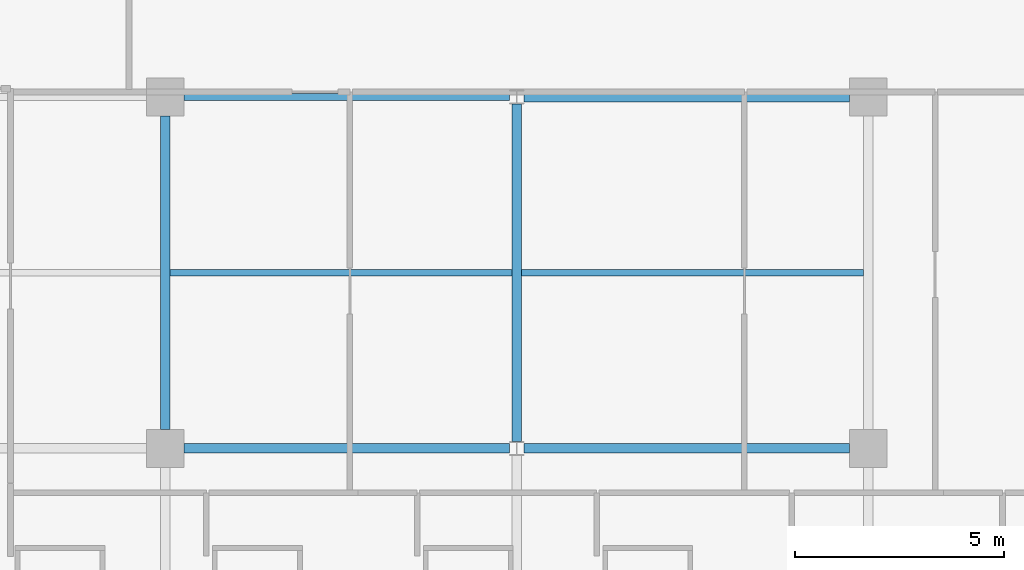
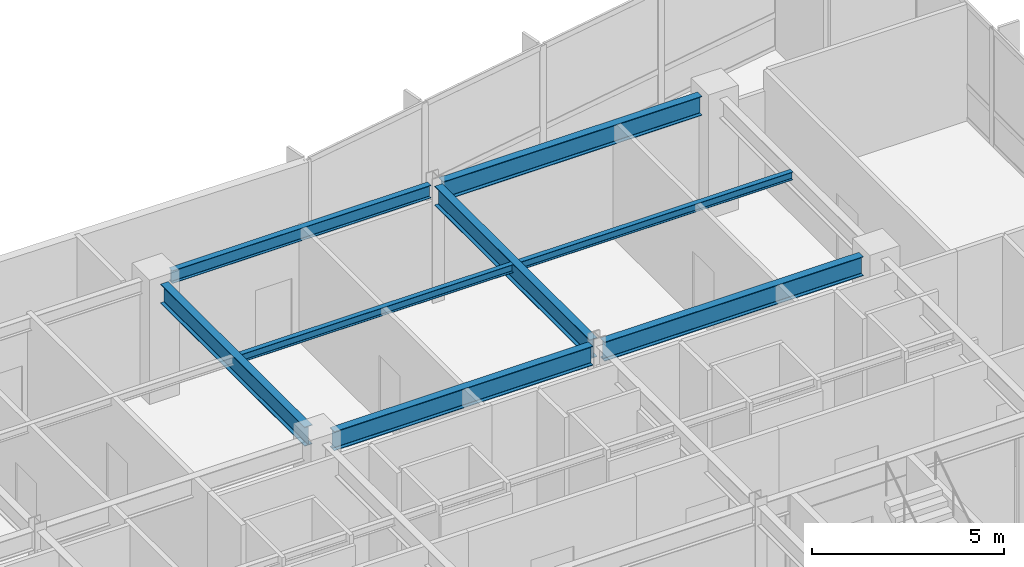
# One storey, part 6 of 20: 8 beams.
"""IFC4 building model written with IfcOpenShell, lengths in metres."""

import ifcopenshell
import ifcopenshell.guid

model = None  # the IFC model being written
_history = None  # IfcOwnerHistory: only IFC2X3 demands one
_inside = {}  # id of a spatial element -> (the spatial element, [elements in it])
_under = {}  # id of a project, library or spatial element -> (it, [spatial elements below it])
_declared = {}  # id of a project -> (the project, [libraries it declares])
_typed = {}  # id of a type object -> (the type object, [elements of that type])
_made_of = {}  # id of a material, layer set ... -> (it, [elements and type objects made of it])


def new_model(schema):
    """Start an empty IFC model of exactly this schema.

    Asked for "IFC4X3", IfcOpenShell would pick the latest addendum, in which some entities
    have other attributes; the version numbers below select the first issue.
    IFC2X3 requires an IfcOwnerHistory on every rooted entity: one is made here for all.
    """
    global model, _history
    if schema == "IFC4X3":
        model = ifcopenshell.file(schema_version=(4, 3, 0, 0))
    else:
        model = ifcopenshell.file(schema=schema)
    _inside.clear()
    _under.clear()
    _declared.clear()
    _typed.clear()
    _made_of.clear()
    _history = None
    if model.schema == "IFC2X3":
        org = make("IfcOrganization", Name="unknown")
        user = make(
            "IfcPersonAndOrganization",
            ThePerson=make("IfcPerson", FamilyName="unknown"),
            TheOrganization=org,
        )
        app = make(
            "IfcApplication",
            ApplicationDeveloper=org,
            Version="unknown",
            ApplicationFullName="unknown",
            ApplicationIdentifier="unknown",
        )
        _history = make(
            "IfcOwnerHistory",
            OwningUser=user,
            OwningApplication=app,
            ChangeAction="ADDED",
            CreationDate=0,
        )
    return model


def make(cls, **values):
    """One entity of the class cls with the attributes given. An attribute that is None is left unset."""
    return model.create_entity(
        cls, **{name: value for name, value in values.items() if value is not None}
    )


def rooted(cls, **values):
    """An entity with a GlobalId (a new one), such as an element, a storey or a relation."""
    return make(cls, GlobalId=ifcopenshell.guid.new(), OwnerHistory=_history, **values)


def si_unit(unit_type, name, prefix=None):
    """IfcSIUnit, for example si_unit("LENGTHUNIT", "METRE", prefix="MILLI")."""
    return make("IfcSIUnit", UnitType=unit_type, Prefix=prefix, Name=name)


def assignment(units):
    """IfcUnitAssignment: the units of a project."""
    return None if units is None else make("IfcUnitAssignment", Units=units)


def point(xyz):
    """IfcCartesianPoint."""
    return None if xyz is None else make("IfcCartesianPoint", Coordinates=xyz)


def direction(xyz):
    """IfcDirection."""
    return None if xyz is None else make("IfcDirection", DirectionRatios=xyz)


def frame(location, z_axis=None, x_axis=None):
    """IfcAxis2Placement3D, a coordinate frame: its origin and axes. An axis left out is left unset."""
    return make(
        "IfcAxis2Placement3D",
        Location=point(location),
        Axis=direction(z_axis),
        RefDirection=direction(x_axis),
    )


def frame_2d(location, x_axis=None):
    """IfcAxis2Placement2D, a coordinate frame in the plane: its origin and x axis."""
    return make(
        "IfcAxis2Placement2D", Location=point(location), RefDirection=direction(x_axis)
    )


def origin():
    """The frame at (0, 0, 0) with its axes left unset."""
    return frame((0.0, 0.0, 0.0))


def origin_2d():
    """The frame at (0, 0) in the plane with its x axis left unset."""
    return frame_2d((0.0, 0.0))


def place(relative_to, where):
    """IfcLocalPlacement: puts the frame where relative to a parent placement (None: the world)."""
    return make(
        "IfcLocalPlacement", PlacementRelTo=relative_to, RelativePlacement=where
    )


def context(
    kind, dimensions, precision=None, world=None, true_north=None, identifier=None
):
    """IfcGeometricRepresentationContext, for example the 3D "Model" context."""
    return make(
        "IfcGeometricRepresentationContext",
        ContextIdentifier=identifier,
        ContextType=kind,
        CoordinateSpaceDimension=dimensions,
        Precision=precision,
        WorldCoordinateSystem=world,
        TrueNorth=true_north,
    )


def subcontext(parent, identifier, kind, view, scale=None):
    """IfcGeometricRepresentationSubContext, for example "Body" below "Model"."""
    return make(
        "IfcGeometricRepresentationSubContext",
        ContextIdentifier=identifier,
        ContextType=kind,
        ParentContext=parent,
        TargetScale=scale,
        TargetView=view,
    )


def project(units=None, contexts=None):
    """IfcProject with its units and contexts."""
    return rooted(
        "IfcProject",
        Name="project",
        RepresentationContexts=contexts,
        UnitsInContext=assignment(units),
    )


def spatial(cls, under=None, at=None, **own):
    """A site, building, storey or space (cls), placed at a placement, below another one or the project."""
    s = rooted(cls, ObjectPlacement=at, **own)
    if under is not None:
        _under.setdefault(under.id(), (under, []))[1].append(s)
    return s


def profile(cls, at=None, kind="AREA", **sizes):
    """A parametric profile (cls). Its sizes go by their IFC names, for example OverallWidth=200.0."""
    return make(cls, ProfileType=kind, Position=at, **sizes)


def i_section(**sizes):
    """IfcIShapeProfileDef."""
    return profile("IfcIShapeProfileDef", **sizes)


def extrude(swept, where, along, depth):
    """IfcExtrudedAreaSolid: the profile swept, set in the frame where, extruded along a direction by depth."""
    return make(
        "IfcExtrudedAreaSolid",
        SweptArea=swept,
        Position=where,
        ExtrudedDirection=direction(along),
        Depth=depth,
    )


def shape(context_of_items, identifier, shape_type, items):
    """IfcShapeRepresentation: the items that make up one representation, for example the "Body"."""
    return make(
        "IfcShapeRepresentation",
        ContextOfItems=context_of_items,
        RepresentationIdentifier=identifier,
        RepresentationType=shape_type,
        Items=items,
    )


def material(Name=None, Category=None):
    """IfcMaterial."""
    return make("IfcMaterial", Name=Name, Category=Category)


def material_profile(
    of_material, cross_section, Name=None, Category=None, Priority=None
):
    """IfcMaterialProfile: a cross section and its material."""
    return make(
        "IfcMaterialProfile",
        Name=Name,
        Material=of_material,
        Profile=cross_section,
        Priority=Priority,
        Category=Category,
    )


def profile_set(profiles, Name=None, composite=None):
    """IfcMaterialProfileSet."""
    return make(
        "IfcMaterialProfileSet",
        Name=Name,
        MaterialProfiles=profiles,
        CompositeProfile=composite,
    )


def made_of(thing, what):
    """Note that an element or type object is made of a material, layer set ...; save() writes the relation."""
    if what is not None:
        _made_of.setdefault(what.id(), (what, []))[1].append(thing)
    return thing


def type_object(cls, material=None, **own):
    """A type object (cls), such as IfcWallType, which elements share."""
    return made_of(rooted(cls, **own), material)


def element(
    cls,
    number,
    at=None,
    inside=None,
    cuts=None,
    type_object=None,
    material=None,
    context=None,
    identifier="Body",
    shape_type=None,
    held_by="IfcProductDefinitionShape",
    body=None,
    shapes=None,
    **own,
):
    """One element of the class cls, such as IfcWall. Its Tag is "e" and its number.

    at: its placement. inside: the storey or other place that contains it. cuts: it is an
    opening in that element (IfcRelVoidsElement). A single representation is given by context,
    identifier, shape_type and body (its items); several are given by shapes. held_by: the class
    of the entity that holds the representations. save() writes the other relations.
    """
    e = rooted(cls, Tag="e%d" % number, ObjectPlacement=at, **own)
    if body is not None:
        shapes = [shape(context, identifier, shape_type, body)]
    if shapes is not None:
        e.Representation = make(held_by, Representations=shapes)
    if inside is not None:
        _inside.setdefault(inside.id(), (inside, []))[1].append(e)
    if cuts is not None:
        rooted(
            "IfcRelVoidsElement", RelatingBuildingElement=cuts, RelatedOpeningElement=e
        )
    if type_object is not None:
        _typed.setdefault(type_object.id(), (type_object, []))[1].append(e)
    return made_of(e, material)


def aggregate(whole, parts):
    """IfcRelAggregates: a whole, such as a stair, and the parts it consists of."""
    return rooted("IfcRelAggregates", RelatingObject=whole, RelatedObjects=parts)


def save(model, path):
    """Write the relations noted so far, then the file.

    IfcRelAggregates (storeys below a building ...), IfcRelContainedInSpatialStructure (elements
    in a storey), IfcRelDefinesByType, IfcRelAssociatesMaterial and IfcRelDeclares: one each for
    every whole, place, type object, material and project.
    """
    for whole, parts in _under.values():
        aggregate(whole, parts)
    for where, things in _inside.values():
        rooted(
            "IfcRelContainedInSpatialStructure",
            RelatedElements=things,
            RelatingStructure=where,
        )
    for kind, things in _typed.values():
        rooted("IfcRelDefinesByType", RelatedObjects=things, RelatingType=kind)
    for what, things in _made_of.values():
        rooted("IfcRelAssociatesMaterial", RelatedObjects=things, RelatingMaterial=what)
    for by, libraries in _declared.values():
        rooted("IfcRelDeclares", RelatingContext=by, RelatedDefinitions=libraries)
    model.write(path)


model = new_model("IFC4")

# Units and contexts
model_context = context("Model", 3, precision=1e-05, world=origin(), true_north=direction((0.0, 1.0)))
body_context = subcontext(model_context, "Body", "Model", "MODEL_VIEW")
ifc_project = project(units=[si_unit("LENGTHUNIT", "METRE"), si_unit("AREAUNIT", "SQUARE_METRE"), si_unit("VOLUMEUNIT", "CUBIC_METRE"), si_unit("PLANEANGLEUNIT", "RADIAN"), si_unit("MASSUNIT", "GRAM", prefix="KILO")], contexts=[model_context])

# Site, building, storey
site_placement = place(None, origin())
site = spatial("IfcSite", under=ifc_project, at=site_placement, CompositionType="ELEMENT")
building_placement = place(site_placement, origin())
building = spatial("IfcBuilding", under=site, at=building_placement, Name="Varnakote Quay Hospital", CompositionType="ELEMENT")
storey_placement = place(building_placement, frame((0.0, 0.0, 58.050048828125)))
storey = spatial("IfcBuildingStorey", under=building, at=storey_placement, Name="L14", CompositionType="ELEMENT", Elevation=58.050048828125)

# Beams
ifc_material_1 = material(Name="Structural steel AS/NZS 3679.1 Grade 350 L0 (fy 340 MPa)", Category="steel")
ifc_material_profile_1 = material_profile(ifc_material_1, i_section(OverallWidth=0.22900390625, OverallDepth=0.612060546875, WebThickness=0.011962890625, FlangeThickness=0.01953125, FilletRadius=0.013916015625, at=origin_2d()), Name="610UB125")
ifc_profile_set_1 = profile_set([ifc_material_profile_1], Name="Structural steel AS/NZS 3679.1 Grade 350 L0 (fy 340 MPa)")
beam_type_1 = type_object("IfcBeamType", Name="BM-STL-610UB125", PredefinedType="BEAM", material=ifc_profile_set_1)
for number, where, z_axis, x_axis, name in (
    (1, (34.050048828125, 20.39990234375, 3.404052734375), (1.0, 0.0, 0.0), (0.0, 1.0, 0.0), "L14 Primary Floor Beam"),
    (2, (42.175048828125, 20.39990234375, 3.404052734375), (1.0, 0.0, 0.0), (0.0, 1.0, 0.0), "L14 Primary Floor Beam"),
    (3, (42.175048828125, 28.800048828125, 3.404052734375), (1.0, 0.0, 0.0), (0.0, 1.0, 0.0), "L14 Primary Floor Beam"),
):
    element("IfcBeam", number, at=place(storey_placement, frame(where, z_axis=z_axis, x_axis=x_axis)), inside=storey, type_object=beam_type_1, Name=name, PredefinedType="BEAM", context=body_context, shape_type="SweptSolid", body=[
        extrude(i_section(OverallWidth=0.22900390625, OverallDepth=0.612060546875, WebThickness=0.011962890625, FlangeThickness=0.01953125, FilletRadius=0.013916015625, at=origin_2d()), origin(), (0.0, 0.0, 1.0), 7.77490234375),
    ])
beam_1_placement = place(storey_placement, frame((33.60009765625, 20.85009765625, 3.404052734375), z_axis=(0.0, 1.0, 0.0), x_axis=(-1.0, 0.0, 0.0)))
element("IfcBeam", 4, at=beam_1_placement, inside=storey, type_object=beam_type_1, Name="L14 Primary Tie Beam", PredefinedType="BEAM", context=body_context, shape_type="SweptSolid", body=[
    extrude(i_section(OverallWidth=0.22900390625, OverallDepth=0.612060546875, WebThickness=0.011962890625, FlangeThickness=0.01953125, FilletRadius=0.013916015625, at=origin_2d()), origin(), (0.0, 0.0, 1.0), 7.5),
])
beam_2_placement = place(storey_placement, frame((42.0, 20.570068359375, 3.404052734375), z_axis=(0.0, 1.0, 0.0), x_axis=(-1.0, 0.0, 0.0)))
element("IfcBeam", 5, at=beam_2_placement, inside=storey, type_object=beam_type_1, Name="L14 Primary Tie Beam", PredefinedType="BEAM", context=body_context, shape_type="SweptSolid", body=[
    extrude(i_section(OverallWidth=0.22900390625, OverallDepth=0.612060546875, WebThickness=0.011962890625, FlangeThickness=0.01953125, FilletRadius=0.013916015625, at=origin_2d()), origin(), (0.0, 0.0, 1.0), 8.059814453125),
])
ifc_material_2 = material(Name="Structural steel AS/NZS 3679.1 Grade 350 L0 (fy 340 MPa)", Category="steel")
ifc_material_profile_2 = material_profile(ifc_material_2, i_section(OverallWidth=0.14599609375, OverallDepth=0.256103515625, WebThickness=0.00634765625, FlangeThickness=0.010986328125, FilletRadius=0.0087890625, at=origin_2d()), Name="250UB37.3")
ifc_profile_set_2 = profile_set([ifc_material_profile_2], Name="Structural steel AS/NZS 3679.1 Grade 350 L0 (fy 340 MPa)")
beam_type_2 = type_object("IfcBeamType", Name="JST-STL-250UB37-3", PredefinedType="JOIST", material=ifc_profile_set_2)
for number, where, z_axis, x_axis, name in (
    (6, (33.714599609375, 24.60009765625, 3.58203125), (1.0, 0.0, 0.0), (0.0, 1.0, 0.0), "L14 Composite Floor Joist"),
    (7, (42.114501953125, 24.60009765625, 3.58203125), (1.0, 0.0, 0.0), (0.0, 1.0, 0.0), "L14 Composite Floor Joist"),
):
    element("IfcBeam", number, at=place(storey_placement, frame(where, z_axis=z_axis, x_axis=x_axis)), inside=storey, type_object=beam_type_2, Name=name, PredefinedType="JOIST", context=body_context, shape_type="SweptSolid", body=[
        extrude(i_section(OverallWidth=0.14599609375, OverallDepth=0.256103515625, WebThickness=0.00634765625, FlangeThickness=0.010986328125, FilletRadius=0.0087890625, at=origin_2d()), origin(), (0.0, 0.0, 1.0), 8.1708984375),
    ])
ifc_material_3 = material(Name="Structural steel AS/NZS 3679.1 Grade 350 L0 (fy 340 MPa)", Category="steel")
ifc_material_profile_3 = material_profile(ifc_material_3, i_section(OverallWidth=0.177978515625, OverallDepth=0.406005859375, WebThickness=0.0078125, FlangeThickness=0.0126953125, FilletRadius=0.011474609375, at=origin_2d()), Name="410UB59.7")
ifc_profile_set_3 = profile_set([ifc_material_profile_3], Name="Structural steel AS/NZS 3679.1 Grade 350 L0 (fy 340 MPa)")
beam_type_3 = type_object("IfcBeamType", Name="SPN-STL-410UB59-7", PredefinedType="SPANDREL", material=ifc_profile_set_3)
beam_3_placement = place(storey_placement, frame((34.050048828125, 28.800048828125, 3.5068359375), z_axis=(1.0, 0.0, 0.0), x_axis=(0.0, 1.0, 0.0)))
element("IfcBeam", 8, at=beam_3_placement, inside=storey, type_object=beam_type_3, Name="L14 Perimeter Spandrel Beam", PredefinedType="SPANDREL", context=body_context, shape_type="SweptSolid", body=[
    extrude(i_section(OverallWidth=0.177978515625, OverallDepth=0.406005859375, WebThickness=0.0078125, FlangeThickness=0.0126953125, FilletRadius=0.011474609375, at=origin_2d()), origin(), (0.0, 0.0, 1.0), 7.77490234375),
])

save(model, "model.ifc")
